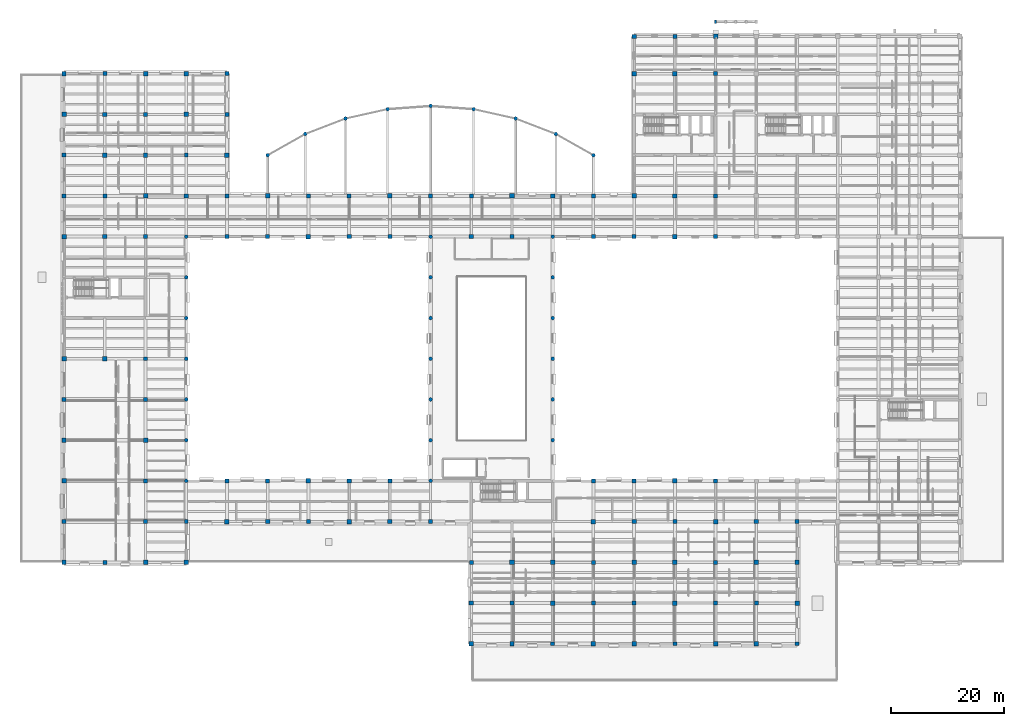
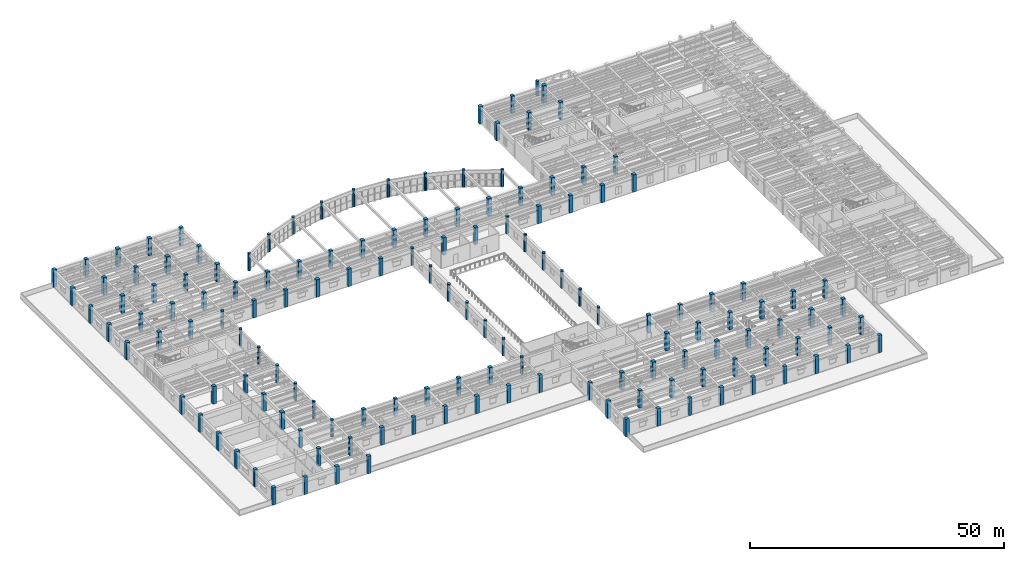
# One storey, part 1 of 76: 146 columns.
"""IFC4 building model written with IfcOpenShell, lengths in metres."""

from ifc_helpers import new_model, si_unit, direction, frame, origin, origin_2d, place, context, subcontext, project, spatial, rectangle, circle, extrude, material, material_profile, profile_set, type_object, element, save


model = new_model("IFC4")

# Units and contexts
model_context = context("Model", 3, precision=1e-05, world=origin(), true_north=direction((0.0, 1.0)))
body_context = subcontext(model_context, "Body", "Model", "MODEL_VIEW")
ifc_project = project(units=[si_unit("LENGTHUNIT", "METRE"), si_unit("AREAUNIT", "SQUARE_METRE"), si_unit("VOLUMEUNIT", "CUBIC_METRE"), si_unit("PLANEANGLEUNIT", "RADIAN"), si_unit("MASSUNIT", "GRAM", prefix="KILO")], contexts=[model_context])

# Site, building, storey
site_placement = place(None, origin())
site = spatial("IfcSite", under=ifc_project, at=site_placement, CompositionType="ELEMENT")
building_placement = place(site_placement, origin())
building = spatial("IfcBuilding", under=site, at=building_placement, Name="Mithqara Police Headquarters", CompositionType="ELEMENT")
storey_placement = place(building_placement, frame((0.0, 0.0, 5.39990234375)))
storey = spatial("IfcBuildingStorey", under=building, at=storey_placement, Name="L01", CompositionType="ELEMENT", Elevation=5.39990234375)

# Columns
ifc_material = material(Name="Concrete C50/60", Category="concrete")
ifc_material_profile_1 = material_profile(ifc_material, rectangle(XDim=0.699951171875, YDim=0.699951171875, at=origin_2d()), Name="RC 700x700")
ifc_profile_set_1 = profile_set([ifc_material_profile_1], Name="Concrete C50/60")
column_type_1 = type_object("IfcColumnType", Name="COLUMN RC700", PredefinedType="COLUMN", material=ifc_profile_set_1)
for number, where, z_axis, x_axis, name in (
    (1, (7.800048828125, 28.199951171875, 0.0), (0.0, 0.0, 1.0), (1.0, 0.0, 0.0), "L01 Column 2/E"),
    (2, (7.800048828125, 49.800048828125, 0.0), (0.0, 0.0, 1.0), (1.0, 0.0, 0.0), "L01 Column 2/H"),
    (3, (7.800048828125, 93.0, 0.0), (0.0, 0.0, 1.0), (1.0, 0.0, 0.0), "L01 Column 2/P"),
    (4, (15.0, 21.0, 0.0), (0.0, 0.0, 1.0), (1.0, 0.0, 0.0), "L01 Column 3/D"),
    (5, (15.0, 85.800048828125, 0.0), (0.0, 0.0, 1.0), (1.0, 0.0, 0.0), "L01 Column 3/N"),
    (6, (15.0, 107.39990234375, 0.0), (0.0, 0.0, 1.0), (1.0, 0.0, 0.0), "L01 Column 3/R"),
    (7, (22.199951171875, 35.39990234375, 0.0), (0.0, 0.0, 1.0), (1.0, 0.0, 0.0), "L01 Column 4/F"),
    (8, (22.199951171875, 57.0, 0.0), (0.0, 0.0, 1.0), (1.0, 0.0, 0.0), "L01 Column 4/J"),
    (9, (22.199951171875, 78.60009765625, 0.0), (0.0, 0.0, 1.0), (1.0, 0.0, 0.0), "L01 Column 4/M"),
    (10, (22.199951171875, 100.199951171875, 0.0), (0.0, 0.0, 1.0), (1.0, 0.0, 0.0), "L01 Column 4/Q"),
    (11, (29.39990234375, 28.199951171875, 0.0), (0.0, 0.0, 1.0), (1.0, 0.0, 0.0), "L01 Column 5/E"),
    (12, (29.39990234375, 93.0, 0.0), (0.0, 0.0, 1.0), (1.0, 0.0, 0.0), "L01 Column 5/P"),
    (13, (36.60009765625, 85.800048828125, 0.0), (0.0, 0.0, 1.0), (1.0, 0.0, 0.0), "L01 Column 6/N"),
    (14, (36.60009765625, 107.39990234375, 0.0), (0.0, 0.0, 1.0), (1.0, 0.0, 0.0), "L01 Column 6/R"),
    (15, (43.800048828125, 35.39990234375, 0.0), (0.0, 0.0, 1.0), (1.0, 0.0, 0.0), "L01 Column 7/F"),
    (16, (43.800048828125, 78.60009765625, 0.0), (0.0, 0.0, 1.0), (1.0, 0.0, 0.0), "L01 Column 7/M"),
    (17, (51.0, 28.199951171875, 0.0), (0.0, 0.0, 1.0), (1.0, 0.0, 0.0), "L01 Column 8/E"),
    (18, (58.199951171875, 85.800048828125, 0.0), (0.0, 0.0, 1.0), (1.0, 0.0, 0.0), "L01 Column 9/N"),
    (19, (65.39990234375, 35.39990234375, 0.0), (0.0, 0.0, 1.0), (1.0, 0.0, 0.0), "L01 Column 10/F"),
    (20, (65.39990234375, 78.60009765625, 0.0), (0.0, 0.0, 1.0), (1.0, 0.0, 0.0), "L01 Column 10/M"),
    (21, (72.60009765625, 28.199951171875, 0.0), (0.0, 0.0, 1.0), (1.0, 0.0, 0.0), "L01 Column 11/E"),
    (22, (79.800048828125, 21.0, 0.0), (0.0, 0.0, 1.0), (1.0, 0.0, 0.0), "L01 Column 12/D"),
    (23, (79.800048828125, 85.800048828125, 0.0), (0.0, 0.0, 1.0), (1.0, 0.0, 0.0), "L01 Column 12/N"),
    (24, (87.0, 13.800048828125, 0.0), (0.0, 0.0, 1.0), (1.0, 0.0, 0.0), "L01 Column 13/C"),
    (25, (87.0, 78.60009765625, 0.0), (0.0, 0.0, 1.0), (1.0, 0.0, 0.0), "L01 Column 13/M"),
    (26, (94.199951171875, 6.60009765625, 0.0), (0.0, 0.0, 1.0), (1.0, 0.0, 0.0), "L01 Column 14/B"),
    (27, (101.39990234375, 21.0, 0.0), (0.0, 0.0, 1.0), (1.0, 0.0, 0.0), "L01 Column 15/D"),
    (28, (101.39990234375, 85.800048828125, 0.0), (0.0, 0.0, 1.0), (1.0, 0.0, 0.0), "L01 Column 15/N"),
    (29, (108.60009765625, 13.800048828125, 0.0), (0.0, 0.0, 1.0), (1.0, 0.0, 0.0), "L01 Column 16/C"),
    (30, (108.60009765625, 35.39990234375, 0.0), (0.0, 0.0, 1.0), (1.0, 0.0, 0.0), "L01 Column 16/F"),
    (31, (108.60009765625, 78.60009765625, 0.0), (0.0, 0.0, 1.0), (1.0, 0.0, 0.0), "L01 Column 16/M"),
    (32, (115.800048828125, 6.60009765625, 0.0), (0.0, 0.0, 1.0), (1.0, 0.0, 0.0), "L01 Column 17/B"),
    (33, (115.800048828125, 28.199951171875, 0.0), (0.0, 0.0, 1.0), (1.0, 0.0, 0.0), "L01 Column 17/E"),
    (34, (115.800048828125, 114.0, 0.0), (0.0, 0.0, 1.0), (1.0, 0.0, 0.0), "L01 Column 17/S"),
    (35, (123.0, 21.0, 0.0), (0.0, 0.0, 1.0), (1.0, 0.0, 0.0), "L01 Column 18/D"),
    (36, (123.0, 85.800048828125, 0.0), (0.0, 0.0, 1.0), (1.0, 0.0, 0.0), "L01 Column 18/N"),
    (37, (123.0, 107.39990234375, 0.0), (0.0, 0.0, 1.0), (1.0, 0.0, 0.0), "L01 Column 18/R"),
    (38, (130.199951171875, 13.800048828125, 0.0), (0.0, 0.0, 1.0), (1.0, 0.0, 0.0), "L01 Column 19/C"),
    (39, (137.39990234375, 6.60009765625, 0.0), (0.0, 0.0, 1.0), (1.0, 0.0, 0.0), "L01 Column 20/B"),
    (40, (137.39990234375, 28.199951171875, 0.0), (0.0, 0.0, 1.0), (1.0, 0.0, 0.0), "L01 Column 20/E"),
):
    element("IfcColumn", number, at=place(storey_placement, frame(where, z_axis=z_axis, x_axis=x_axis)), inside=storey, type_object=column_type_1, Name=name, PredefinedType="COLUMN", context=body_context, shape_type="SweptSolid", body=[
        extrude(rectangle(XDim=0.699951171875, YDim=0.699951171875, at=origin_2d()), origin(), (0.0, 0.0, 1.0), 4.2001953125),
    ])
ifc_material_profile_2 = material_profile(ifc_material, rectangle(XDim=0.75, YDim=0.75, at=origin_2d()), Name="RC 750x750")
ifc_profile_set_2 = profile_set([ifc_material_profile_2], Name="Concrete C50/60")
column_type_2 = type_object("IfcColumnType", Name="COLUMN RC750", PredefinedType="COLUMN", material=ifc_profile_set_2)
for number, where, z_axis, x_axis, name in (
    (41, (7.800048828125, 21.0, 0.0), (0.0, 0.0, 1.0), (1.0, 0.0, 0.0), "L01 Column 2/D"),
    (42, (7.800048828125, 42.60009765625, 0.0), (0.0, 0.0, 1.0), (1.0, 0.0, 0.0), "L01 Column 2/G"),
    (43, (7.800048828125, 85.800048828125, 0.0), (0.0, 0.0, 1.0), (1.0, 0.0, 0.0), "L01 Column 2/N"),
    (44, (7.800048828125, 107.39990234375, 0.0), (0.0, 0.0, 1.0), (1.0, 0.0, 0.0), "L01 Column 2/R"),
    (45, (15.0, 57.0, 0.0), (0.0, 0.0, 1.0), (1.0, 0.0, 0.0), "L01 Column 3/J"),
    (46, (15.0, 78.60009765625, 0.0), (0.0, 0.0, 1.0), (1.0, 0.0, 0.0), "L01 Column 3/M"),
    (47, (15.0, 100.199951171875, 0.0), (0.0, 0.0, 1.0), (1.0, 0.0, 0.0), "L01 Column 3/Q"),
    (48, (22.199951171875, 28.199951171875, 0.0), (0.0, 0.0, 1.0), (1.0, 0.0, 0.0), "L01 Column 4/E"),
    (49, (22.199951171875, 49.800048828125, 0.0), (0.0, 0.0, 1.0), (1.0, 0.0, 0.0), "L01 Column 4/H"),
    (50, (22.199951171875, 93.0, 0.0), (0.0, 0.0, 1.0), (1.0, 0.0, 0.0), "L01 Column 4/P"),
    (51, (29.39990234375, 21.0, 0.0), (0.0, 0.0, 1.0), (1.0, 0.0, 0.0), "L01 Column 5/D"),
    (52, (29.39990234375, 85.800048828125, 0.0), (0.0, 0.0, 1.0), (1.0, 0.0, 0.0), "L01 Column 5/N"),
    (53, (29.39990234375, 107.39990234375, 0.0), (0.0, 0.0, 1.0), (1.0, 0.0, 0.0), "L01 Column 5/R"),
    (54, (36.60009765625, 35.39990234375, 0.0), (0.0, 0.0, 1.0), (1.0, 0.0, 0.0), "L01 Column 6/F"),
    (55, (36.60009765625, 78.60009765625, 0.0), (0.0, 0.0, 1.0), (1.0, 0.0, 0.0), "L01 Column 6/M"),
    (56, (36.60009765625, 100.199951171875, 0.0), (0.0, 0.0, 1.0), (1.0, 0.0, 0.0), "L01 Column 6/Q"),
    (57, (43.800048828125, 28.199951171875, 0.0), (0.0, 0.0, 1.0), (1.0, 0.0, 0.0), "L01 Column 7/E"),
    (58, (51.0, 85.800048828125, 0.0), (0.0, 0.0, 1.0), (1.0, 0.0, 0.0), "L01 Column 8/N"),
    (59, (58.199951171875, 35.39990234375, 0.0), (0.0, 0.0, 1.0), (1.0, 0.0, 0.0), "L01 Column 9/F"),
    (60, (58.199951171875, 78.60009765625, 0.0), (0.0, 0.0, 1.0), (1.0, 0.0, 0.0), "L01 Column 9/M"),
    (61, (65.39990234375, 28.199951171875, 0.0), (0.0, 0.0, 1.0), (1.0, 0.0, 0.0), "L01 Column 10/E"),
    (62, (72.60009765625, 85.800048828125, 0.0), (0.0, 0.0, 1.0), (1.0, 0.0, 0.0), "L01 Column 11/N"),
    (63, (79.800048828125, 13.800048828125, 0.0), (0.0, 0.0, 1.0), (1.0, 0.0, 0.0), "L01 Column 12/C"),
    (64, (79.800048828125, 78.60009765625, 0.0), (0.0, 0.0, 1.0), (1.0, 0.0, 0.0), "L01 Column 12/M"),
    (65, (87.0, 6.60009765625, 0.0), (0.0, 0.0, 1.0), (1.0, 0.0, 0.0), "L01 Column 13/B"),
    (66, (94.199951171875, 21.0, 0.0), (0.0, 0.0, 1.0), (1.0, 0.0, 0.0), "L01 Column 14/D"),
    (67, (94.199951171875, 85.800048828125, 0.0), (0.0, 0.0, 1.0), (1.0, 0.0, 0.0), "L01 Column 14/N"),
    (68, (101.39990234375, 13.800048828125, 0.0), (0.0, 0.0, 1.0), (1.0, 0.0, 0.0), "L01 Column 15/C"),
    (69, (101.39990234375, 35.39990234375, 0.0), (0.0, 0.0, 1.0), (1.0, 0.0, 0.0), "L01 Column 15/F"),
    (70, (101.39990234375, 78.60009765625, 0.0), (0.0, 0.0, 1.0), (1.0, 0.0, 0.0), "L01 Column 15/M"),
    (71, (108.60009765625, 6.60009765625, 0.0), (0.0, 0.0, 1.0), (1.0, 0.0, 0.0), "L01 Column 16/B"),
    (72, (108.60009765625, 28.199951171875, 0.0), (0.0, 0.0, 1.0), (1.0, 0.0, 0.0), "L01 Column 16/E"),
    (73, (108.60009765625, 114.0, 0.0), (0.0, 0.0, 1.0), (1.0, 0.0, 0.0), "L01 Column 16/S"),
    (74, (115.800048828125, 21.0, 0.0), (0.0, 0.0, 1.0), (1.0, 0.0, 0.0), "L01 Column 17/D"),
    (75, (115.800048828125, 85.800048828125, 0.0), (0.0, 0.0, 1.0), (1.0, 0.0, 0.0), "L01 Column 17/N"),
    (76, (115.800048828125, 107.39990234375, 0.0), (0.0, 0.0, 1.0), (1.0, 0.0, 0.0), "L01 Column 17/R"),
    (77, (123.0, 13.800048828125, 0.0), (0.0, 0.0, 1.0), (1.0, 0.0, 0.0), "L01 Column 18/C"),
    (78, (123.0, 35.39990234375, 0.0), (0.0, 0.0, 1.0), (1.0, 0.0, 0.0), "L01 Column 18/F"),
    (79, (123.0, 78.60009765625, 0.0), (0.0, 0.0, 1.0), (1.0, 0.0, 0.0), "L01 Column 18/M"),
    (80, (130.199951171875, 6.60009765625, 0.0), (0.0, 0.0, 1.0), (1.0, 0.0, 0.0), "L01 Column 19/B"),
    (81, (130.199951171875, 28.199951171875, 0.0), (0.0, 0.0, 1.0), (1.0, 0.0, 0.0), "L01 Column 19/E"),
    (82, (137.39990234375, 21.0, 0.0), (0.0, 0.0, 1.0), (1.0, 0.0, 0.0), "L01 Column 20/D"),
):
    element("IfcColumn", number, at=place(storey_placement, frame(where, z_axis=z_axis, x_axis=x_axis)), inside=storey, type_object=column_type_2, Name=name, PredefinedType="COLUMN", context=body_context, shape_type="SweptSolid", body=[
        extrude(rectangle(XDim=0.75, YDim=0.75, at=origin_2d()), origin(), (0.0, 0.0, 1.0), 4.2001953125),
    ])
ifc_material_profile_3 = material_profile(ifc_material, rectangle(XDim=0.800048828125, YDim=0.800048828125, at=origin_2d()), Name="RC 800x800")
ifc_profile_set_3 = profile_set([ifc_material_profile_3], Name="Concrete C50/60")
column_type_3 = type_object("IfcColumnType", Name="COLUMN RC800", PredefinedType="COLUMN", material=ifc_profile_set_3)
for number, where, z_axis, x_axis, name in (
    (83, (7.800048828125, 35.39990234375, 0.0), (0.0, 0.0, 1.0), (1.0, 0.0, 0.0), "L01 Column 2/F"),
    (84, (7.800048828125, 57.0, 0.0), (0.0, 0.0, 1.0), (1.0, 0.0, 0.0), "L01 Column 2/J"),
    (85, (7.800048828125, 78.60009765625, 0.0), (0.0, 0.0, 1.0), (1.0, 0.0, 0.0), "L01 Column 2/M"),
    (86, (7.800048828125, 100.199951171875, 0.0), (0.0, 0.0, 1.0), (1.0, 0.0, 0.0), "L01 Column 2/Q"),
    (87, (15.0, 93.0, 0.0), (0.0, 0.0, 1.0), (1.0, 0.0, 0.0), "L01 Column 3/P"),
    (88, (22.199951171875, 21.0, 0.0), (0.0, 0.0, 1.0), (1.0, 0.0, 0.0), "L01 Column 4/D"),
    (89, (22.199951171875, 42.60009765625, 0.0), (0.0, 0.0, 1.0), (1.0, 0.0, 0.0), "L01 Column 4/G"),
    (90, (22.199951171875, 85.800048828125, 0.0), (0.0, 0.0, 1.0), (1.0, 0.0, 0.0), "L01 Column 4/N"),
    (91, (22.199951171875, 107.39990234375, 0.0), (0.0, 0.0, 1.0), (1.0, 0.0, 0.0), "L01 Column 4/R"),
    (92, (29.39990234375, 100.199951171875, 0.0), (0.0, 0.0, 1.0), (1.0, 0.0, 0.0), "L01 Column 5/Q"),
    (93, (36.60009765625, 28.199951171875, 0.0), (0.0, 0.0, 1.0), (1.0, 0.0, 0.0), "L01 Column 6/E"),
    (94, (36.60009765625, 93.0, 0.0), (0.0, 0.0, 1.0), (1.0, 0.0, 0.0), "L01 Column 6/P"),
    (95, (43.800048828125, 85.800048828125, 0.0), (0.0, 0.0, 1.0), (1.0, 0.0, 0.0), "L01 Column 7/N"),
    (96, (51.0, 35.39990234375, 0.0), (0.0, 0.0, 1.0), (1.0, 0.0, 0.0), "L01 Column 8/F"),
    (97, (51.0, 78.60009765625, 0.0), (0.0, 0.0, 1.0), (1.0, 0.0, 0.0), "L01 Column 8/M"),
    (98, (58.199951171875, 28.199951171875, 0.0), (0.0, 0.0, 1.0), (1.0, 0.0, 0.0), "L01 Column 9/E"),
    (99, (65.39990234375, 85.800048828125, 0.0), (0.0, 0.0, 1.0), (1.0, 0.0, 0.0), "L01 Column 10/N"),
    (100, (79.800048828125, 6.60009765625, 0.0), (0.0, 0.0, 1.0), (1.0, 0.0, 0.0), "L01 Column 12/B"),
    (101, (87.0, 21.0, 0.0), (0.0, 0.0, 1.0), (1.0, 0.0, 0.0), "L01 Column 13/D"),
    (102, (87.0, 85.800048828125, 0.0), (0.0, 0.0, 1.0), (1.0, 0.0, 0.0), "L01 Column 13/N"),
    (103, (94.199951171875, 13.800048828125, 0.0), (0.0, 0.0, 1.0), (1.0, 0.0, 0.0), "L01 Column 14/C"),
    (104, (101.39990234375, 6.60009765625, 0.0), (0.0, 0.0, 1.0), (1.0, 0.0, 0.0), "L01 Column 15/B"),
    (105, (101.39990234375, 28.199951171875, 0.0), (0.0, 0.0, 1.0), (1.0, 0.0, 0.0), "L01 Column 15/E"),
    (106, (108.60009765625, 21.0, 0.0), (0.0, 0.0, 1.0), (1.0, 0.0, 0.0), "L01 Column 16/D"),
    (107, (108.60009765625, 85.800048828125, 0.0), (0.0, 0.0, 1.0), (1.0, 0.0, 0.0), "L01 Column 16/N"),
    (108, (108.60009765625, 107.39990234375, 0.0), (0.0, 0.0, 1.0), (1.0, 0.0, 0.0), "L01 Column 16/R"),
    (109, (115.800048828125, 13.800048828125, 0.0), (0.0, 0.0, 1.0), (1.0, 0.0, 0.0), "L01 Column 17/C"),
    (110, (115.800048828125, 35.39990234375, 0.0), (0.0, 0.0, 1.0), (1.0, 0.0, 0.0), "L01 Column 17/F"),
    (111, (115.800048828125, 78.60009765625, 0.0), (0.0, 0.0, 1.0), (1.0, 0.0, 0.0), "L01 Column 17/M"),
    (112, (123.0, 6.60009765625, 0.0), (0.0, 0.0, 1.0), (1.0, 0.0, 0.0), "L01 Column 18/B"),
    (113, (123.0, 28.199951171875, 0.0), (0.0, 0.0, 1.0), (1.0, 0.0, 0.0), "L01 Column 18/E"),
    (114, (123.0, 114.0, 0.0), (0.0, 0.0, 1.0), (1.0, 0.0, 0.0), "L01 Column 18/S"),
    (115, (130.199951171875, 21.0, 0.0), (0.0, 0.0, 1.0), (1.0, 0.0, 0.0), "L01 Column 19/D"),
    (116, (137.39990234375, 13.800048828125, 0.0), (0.0, 0.0, 1.0), (1.0, 0.0, 0.0), "L01 Column 20/C"),
):
    element("IfcColumn", number, at=place(storey_placement, frame(where, z_axis=z_axis, x_axis=x_axis)), inside=storey, type_object=column_type_3, Name=name, PredefinedType="COLUMN", context=body_context, shape_type="SweptSolid", body=[
        extrude(rectangle(XDim=0.800048828125, YDim=0.800048828125, at=origin_2d()), origin(), (0.0, 0.0, 1.0), 4.2001953125),
    ])
ifc_material_profile_4 = material_profile(ifc_material, circle(Radius=0.324951171875, at=origin_2d()), Name="RCD 650")
ifc_profile_set_4 = profile_set([ifc_material_profile_4], Name="Concrete C50/60")
column_type_4 = type_object("IfcColumnType", Name="COLUMN RCD650", PredefinedType="COLUMN", material=ifc_profile_set_4)
for number, where, z_axis, x_axis, name in (
    (117, (29.39990234375, 35.39990234375, 0.0), (0.0, 0.0, 1.0), (1.0, 0.0, 0.0), "L01 Column 5/F"),
    (118, (29.39990234375, 42.60009765625, 0.0), (0.0, 0.0, 1.0), (1.0, 0.0, 0.0), "L01 Column 5/G"),
    (119, (29.39990234375, 49.800048828125, 0.0), (0.0, 0.0, 1.0), (1.0, 0.0, 0.0), "L01 Column 5/H"),
    (120, (29.39990234375, 57.0, 0.0), (0.0, 0.0, 1.0), (1.0, 0.0, 0.0), "L01 Column 5/J"),
    (121, (29.39990234375, 64.199951171875, 0.0), (0.0, 0.0, 1.0), (1.0, 0.0, 0.0), "L01 Column 5/K"),
    (122, (29.39990234375, 71.39990234375, 0.0), (0.0, 0.0, 1.0), (1.0, 0.0, 0.0), "L01 Column 5/L"),
    (123, (29.39990234375, 78.60009765625, 0.0), (0.0, 0.0, 1.0), (1.0, 0.0, 0.0), "L01 Column 5/M"),
    (124, (72.60009765625, 35.39990234375, 0.0), (0.0, 0.0, 1.0), (1.0, 0.0, 0.0), "L01 Column 11/F"),
    (125, (72.60009765625, 42.60009765625, 0.0), (0.0, 0.0, 1.0), (1.0, 0.0, 0.0), "L01 Column 11/G"),
    (126, (72.60009765625, 49.800048828125, 0.0), (0.0, 0.0, 1.0), (1.0, 0.0, 0.0), "L01 Column 11/H"),
    (127, (72.60009765625, 57.0, 0.0), (0.0, 0.0, 1.0), (1.0, 0.0, 0.0), "L01 Column 11/J"),
    (128, (72.60009765625, 64.199951171875, 0.0), (0.0, 0.0, 1.0), (1.0, 0.0, 0.0), "L01 Column 11/K"),
    (129, (72.60009765625, 71.39990234375, 0.0), (0.0, 0.0, 1.0), (1.0, 0.0, 0.0), "L01 Column 11/L"),
    (130, (72.60009765625, 78.60009765625, 0.0), (0.0, 0.0, 1.0), (1.0, 0.0, 0.0), "L01 Column 11/M"),
    (131, (94.199951171875, 42.60009765625, 0.0), (0.0, 0.0, 1.0), (1.0, 0.0, 0.0), "L01 Column 14/G"),
    (132, (94.199951171875, 49.800048828125, 0.0), (0.0, 0.0, 1.0), (1.0, 0.0, 0.0), "L01 Column 14/H"),
    (133, (94.199951171875, 57.0, 0.0), (0.0, 0.0, 1.0), (1.0, 0.0, 0.0), "L01 Column 14/J"),
    (134, (94.199951171875, 64.199951171875, 0.0), (0.0, 0.0, 1.0), (1.0, 0.0, 0.0), "L01 Column 14/K"),
    (135, (94.199951171875, 71.39990234375, 0.0), (0.0, 0.0, 1.0), (1.0, 0.0, 0.0), "L01 Column 14/L"),
    (136, (94.199951171875, 78.60009765625, 0.0), (0.0, 0.0, 1.0), (1.0, 0.0, 0.0), "L01 Column 14/M"),
    (137, (43.800048828125, 93.0, 0.0), (0.0, 0.0, 1.0), (1.0, 0.0, 0.0), "L01 Forecourt Arcade Pier 1"),
    (138, (50.440185546875, 96.74560546875, 0.0), (0.0, 0.0, 1.0), (1.0, 0.0, 0.0), "L01 Forecourt Arcade Pier 2"),
    (139, (57.556884765625, 99.480224609375, 0.0), (0.0, 0.0, 1.0), (1.0, 0.0, 0.0), "L01 Forecourt Arcade Pier 3"),
    (140, (64.99658203125, 101.14501953125, 0.0), (0.0, 0.0, 1.0), (1.0, 0.0, 0.0), "L01 Forecourt Arcade Pier 4"),
    (141, (72.60009765625, 101.703857421875, 0.0), (0.0, 0.0, 1.0), (1.0, 0.0, 0.0), "L01 Forecourt Arcade Pier 5"),
    (142, (80.203369140625, 101.14501953125, 0.0), (0.0, 0.0, 1.0), (1.0, 0.0, 0.0), "L01 Forecourt Arcade Pier 6"),
    (143, (87.643310546875, 99.480224609375, 0.0), (0.0, 0.0, 1.0), (1.0, 0.0, 0.0), "L01 Forecourt Arcade Pier 7"),
    (144, (94.759765625, 96.74560546875, 0.0), (0.0, 0.0, 1.0), (1.0, 0.0, 0.0), "L01 Forecourt Arcade Pier 8"),
    (145, (101.39990234375, 93.0, 0.0), (0.0, 0.0, 1.0), (1.0, 0.0, 0.0), "L01 Forecourt Arcade Pier 9"),
):
    element("IfcColumn", number, at=place(storey_placement, frame(where, z_axis=z_axis, x_axis=x_axis)), inside=storey, type_object=column_type_4, Name=name, PredefinedType="COLUMN", context=body_context, shape_type="SweptSolid", body=[
        extrude(circle(Radius=0.324951171875, at=origin_2d()), origin(), (0.0, 0.0, 1.0), 4.2001953125),
    ])
ifc_material_profile_5 = material_profile(ifc_material, rectangle(XDim=0.39990234375, YDim=0.60009765625, at=origin_2d()), Name="PIL 400x600")
ifc_profile_set_5 = profile_set([ifc_material_profile_5], Name="Concrete C50/60")
column_type_5 = type_object("IfcColumnType", Name="PILASTER 400X600", PredefinedType="PILASTER", material=ifc_profile_set_5)
column_placement = place(storey_placement, frame((123.0, 116.60009765625, 0.0), z_axis=(0.0, 0.0, 1.0), x_axis=(1.0, 0.0, 0.0)))
element("IfcColumn", 146, at=column_placement, inside=storey, type_object=column_type_5, Name="L01 Entrance Portal Pylon W", PredefinedType="PILASTER", context=body_context, shape_type="SweptSolid", body=[
    extrude(rectangle(XDim=0.39990234375, YDim=0.60009765625, at=origin_2d()), origin(), (0.0, 0.0, 1.0), 3.60009765625),
])

save(model, "model.ifc")
